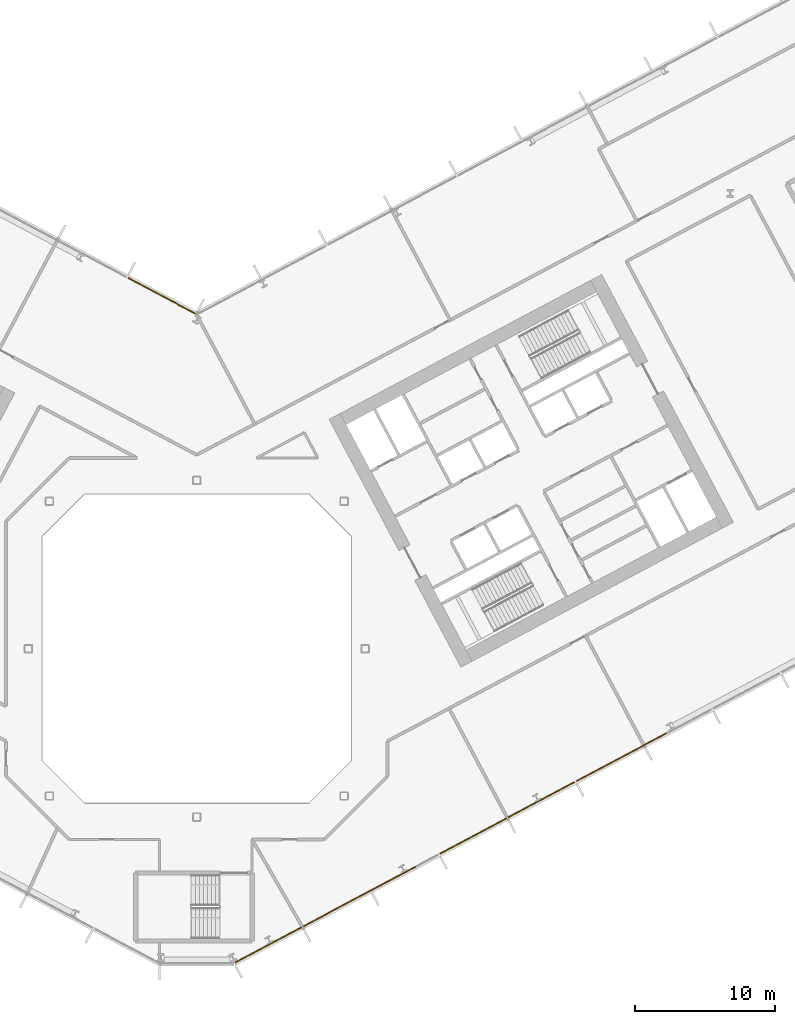
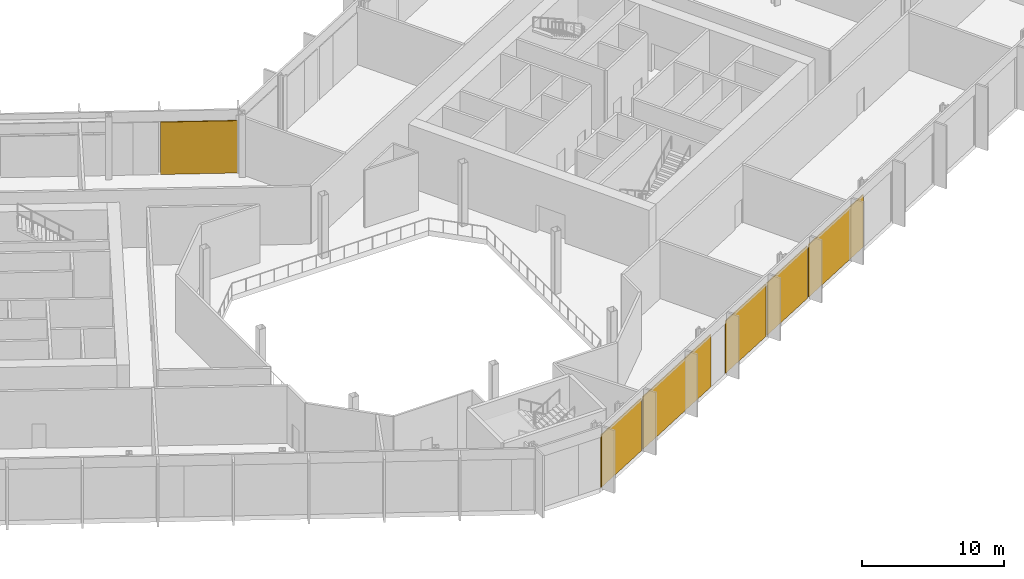
# One storey, part 26 of 32: 6 coverings, 2 elements without a shape of their own.
"""IFC4 building model written with IfcOpenShell, lengths in metres."""

import ifcopenshell
import ifcopenshell.guid

model = None  # the IFC model being written
_history = None  # IfcOwnerHistory: only IFC2X3 demands one
_inside = {}  # id of a spatial element -> (the spatial element, [elements in it])
_under = {}  # id of a project, library or spatial element -> (it, [spatial elements below it])
_declared = {}  # id of a project -> (the project, [libraries it declares])
_typed = {}  # id of a type object -> (the type object, [elements of that type])
_made_of = {}  # id of a material, layer set ... -> (it, [elements and type objects made of it])


def new_model(schema):
    """Start an empty IFC model of exactly this schema.

    Asked for "IFC4X3", IfcOpenShell would pick the latest addendum, in which some entities
    have other attributes; the version numbers below select the first issue.
    IFC2X3 requires an IfcOwnerHistory on every rooted entity: one is made here for all.
    """
    global model, _history
    if schema == "IFC4X3":
        model = ifcopenshell.file(schema_version=(4, 3, 0, 0))
    else:
        model = ifcopenshell.file(schema=schema)
    _inside.clear()
    _under.clear()
    _declared.clear()
    _typed.clear()
    _made_of.clear()
    _history = None
    if model.schema == "IFC2X3":
        org = make("IfcOrganization", Name="unknown")
        user = make(
            "IfcPersonAndOrganization",
            ThePerson=make("IfcPerson", FamilyName="unknown"),
            TheOrganization=org,
        )
        app = make(
            "IfcApplication",
            ApplicationDeveloper=org,
            Version="unknown",
            ApplicationFullName="unknown",
            ApplicationIdentifier="unknown",
        )
        _history = make(
            "IfcOwnerHistory",
            OwningUser=user,
            OwningApplication=app,
            ChangeAction="ADDED",
            CreationDate=0,
        )
    return model


def make(cls, **values):
    """One entity of the class cls with the attributes given. An attribute that is None is left unset."""
    return model.create_entity(
        cls, **{name: value for name, value in values.items() if value is not None}
    )


def rooted(cls, **values):
    """An entity with a GlobalId (a new one), such as an element, a storey or a relation."""
    return make(cls, GlobalId=ifcopenshell.guid.new(), OwnerHistory=_history, **values)


def si_unit(unit_type, name, prefix=None):
    """IfcSIUnit, for example si_unit("LENGTHUNIT", "METRE", prefix="MILLI")."""
    return make("IfcSIUnit", UnitType=unit_type, Prefix=prefix, Name=name)


def assignment(units):
    """IfcUnitAssignment: the units of a project."""
    return None if units is None else make("IfcUnitAssignment", Units=units)


def point(xyz):
    """IfcCartesianPoint."""
    return None if xyz is None else make("IfcCartesianPoint", Coordinates=xyz)


def direction(xyz):
    """IfcDirection."""
    return None if xyz is None else make("IfcDirection", DirectionRatios=xyz)


def frame(location, z_axis=None, x_axis=None):
    """IfcAxis2Placement3D, a coordinate frame: its origin and axes. An axis left out is left unset."""
    return make(
        "IfcAxis2Placement3D",
        Location=point(location),
        Axis=direction(z_axis),
        RefDirection=direction(x_axis),
    )


def frame_2d(location, x_axis=None):
    """IfcAxis2Placement2D, a coordinate frame in the plane: its origin and x axis."""
    return make(
        "IfcAxis2Placement2D", Location=point(location), RefDirection=direction(x_axis)
    )


def origin():
    """The frame at (0, 0, 0) with its axes left unset."""
    return frame((0.0, 0.0, 0.0))


def origin_2d():
    """The frame at (0, 0) in the plane with its x axis left unset."""
    return frame_2d((0.0, 0.0))


def place(relative_to, where):
    """IfcLocalPlacement: puts the frame where relative to a parent placement (None: the world)."""
    return make(
        "IfcLocalPlacement", PlacementRelTo=relative_to, RelativePlacement=where
    )


def context(
    kind, dimensions, precision=None, world=None, true_north=None, identifier=None
):
    """IfcGeometricRepresentationContext, for example the 3D "Model" context."""
    return make(
        "IfcGeometricRepresentationContext",
        ContextIdentifier=identifier,
        ContextType=kind,
        CoordinateSpaceDimension=dimensions,
        Precision=precision,
        WorldCoordinateSystem=world,
        TrueNorth=true_north,
    )


def subcontext(parent, identifier, kind, view, scale=None):
    """IfcGeometricRepresentationSubContext, for example "Body" below "Model"."""
    return make(
        "IfcGeometricRepresentationSubContext",
        ContextIdentifier=identifier,
        ContextType=kind,
        ParentContext=parent,
        TargetScale=scale,
        TargetView=view,
    )


def project(units=None, contexts=None):
    """IfcProject with its units and contexts."""
    return rooted(
        "IfcProject",
        Name="project",
        RepresentationContexts=contexts,
        UnitsInContext=assignment(units),
    )


def spatial(cls, under=None, at=None, **own):
    """A site, building, storey or space (cls), placed at a placement, below another one or the project."""
    s = rooted(cls, ObjectPlacement=at, **own)
    if under is not None:
        _under.setdefault(under.id(), (under, []))[1].append(s)
    return s


def profile(cls, at=None, kind="AREA", **sizes):
    """A parametric profile (cls). Its sizes go by their IFC names, for example OverallWidth=200.0."""
    return make(cls, ProfileType=kind, Position=at, **sizes)


def rectangle(**sizes):
    """IfcRectangleProfileDef."""
    return profile("IfcRectangleProfileDef", **sizes)


def extrude(swept, where, along, depth):
    """IfcExtrudedAreaSolid: the profile swept, set in the frame where, extruded along a direction by depth."""
    return make(
        "IfcExtrudedAreaSolid",
        SweptArea=swept,
        Position=where,
        ExtrudedDirection=direction(along),
        Depth=depth,
    )


def shape(context_of_items, identifier, shape_type, items):
    """IfcShapeRepresentation: the items that make up one representation, for example the "Body"."""
    return make(
        "IfcShapeRepresentation",
        ContextOfItems=context_of_items,
        RepresentationIdentifier=identifier,
        RepresentationType=shape_type,
        Items=items,
    )


def material(Name=None, Category=None):
    """IfcMaterial."""
    return make("IfcMaterial", Name=Name, Category=Category)


def layer(
    of_material, thickness, ventilated=None, Name=None, Category=None, Priority=None
):
    """IfcMaterialLayer: one layer of a wall or slab, of a material (None: an air gap)."""
    return make(
        "IfcMaterialLayer",
        Material=of_material,
        LayerThickness=thickness,
        IsVentilated=ventilated,
        Name=Name,
        Category=Category,
        Priority=Priority,
    )


def layer_set(layers, Name=None):
    """IfcMaterialLayerSet."""
    return make("IfcMaterialLayerSet", MaterialLayers=layers, LayerSetName=Name)


def made_of(thing, what):
    """Note that an element or type object is made of a material, layer set ...; save() writes the relation."""
    if what is not None:
        _made_of.setdefault(what.id(), (what, []))[1].append(thing)
    return thing


def type_object(cls, material=None, **own):
    """A type object (cls), such as IfcWallType, which elements share."""
    return made_of(rooted(cls, **own), material)


def element(
    cls,
    number,
    at=None,
    inside=None,
    cuts=None,
    type_object=None,
    material=None,
    context=None,
    identifier="Body",
    shape_type=None,
    held_by="IfcProductDefinitionShape",
    body=None,
    shapes=None,
    **own,
):
    """One element of the class cls, such as IfcWall. Its Tag is "e" and its number.

    at: its placement. inside: the storey or other place that contains it. cuts: it is an
    opening in that element (IfcRelVoidsElement). A single representation is given by context,
    identifier, shape_type and body (its items); several are given by shapes. held_by: the class
    of the entity that holds the representations. save() writes the other relations.
    """
    e = rooted(cls, Tag="e%d" % number, ObjectPlacement=at, **own)
    if body is not None:
        shapes = [shape(context, identifier, shape_type, body)]
    if shapes is not None:
        e.Representation = make(held_by, Representations=shapes)
    if inside is not None:
        _inside.setdefault(inside.id(), (inside, []))[1].append(e)
    if cuts is not None:
        rooted(
            "IfcRelVoidsElement", RelatingBuildingElement=cuts, RelatedOpeningElement=e
        )
    if type_object is not None:
        _typed.setdefault(type_object.id(), (type_object, []))[1].append(e)
    return made_of(e, material)


def aggregate(whole, parts):
    """IfcRelAggregates: a whole, such as a stair, and the parts it consists of."""
    return rooted("IfcRelAggregates", RelatingObject=whole, RelatedObjects=parts)


def save(model, path):
    """Write the relations noted so far, then the file.

    IfcRelAggregates (storeys below a building ...), IfcRelContainedInSpatialStructure (elements
    in a storey), IfcRelDefinesByType, IfcRelAssociatesMaterial and IfcRelDeclares: one each for
    every whole, place, type object, material and project.
    """
    for whole, parts in _under.values():
        aggregate(whole, parts)
    for where, things in _inside.values():
        rooted(
            "IfcRelContainedInSpatialStructure",
            RelatedElements=things,
            RelatingStructure=where,
        )
    for kind, things in _typed.values():
        rooted("IfcRelDefinesByType", RelatedObjects=things, RelatingType=kind)
    for what, things in _made_of.values():
        rooted("IfcRelAssociatesMaterial", RelatedObjects=things, RelatingMaterial=what)
    for by, libraries in _declared.values():
        rooted("IfcRelDeclares", RelatingContext=by, RelatedDefinitions=libraries)
    model.write(path)


model = new_model("IFC4")

# Units and contexts
model_context = context("Model", 3, precision=1e-05, world=origin(), true_north=direction((0.0, 1.0)))
body_context = subcontext(model_context, "Body", "Model", "MODEL_VIEW")
ifc_project = project(units=[si_unit("LENGTHUNIT", "METRE"), si_unit("AREAUNIT", "SQUARE_METRE"), si_unit("VOLUMEUNIT", "CUBIC_METRE"), si_unit("PLANEANGLEUNIT", "RADIAN"), si_unit("MASSUNIT", "GRAM", prefix="KILO")], contexts=[model_context])

# Site, building, storey
site_placement = place(None, origin())
site = spatial("IfcSite", under=ifc_project, at=site_placement, CompositionType="ELEMENT")
building_placement = place(site_placement, origin())
building = spatial("IfcBuilding", under=site, at=building_placement, Name="Cormorant Relay Tower", CompositionType="ELEMENT")
storey_placement = place(building_placement, frame((0.0, 0.0, 39.199951171875)))
storey = spatial("IfcBuildingStorey", under=building, at=storey_placement, Name="L07", CompositionType="ELEMENT", Elevation=39.199951171875)

# Curtain wall, coverings
ifc_material_1 = material(Name="Aluminium 6063-T6 anodised bronze", Category="aluminium")
ifc_layer_1 = layer(ifc_material_1, 0.235107421875)
ifc_layer_set_1 = layer_set([ifc_layer_1], Name="CW6 data hall curtain wall with mineral wool panels")
curtain_wall_type = type_object("IfcCurtainWallType", Name="CW6 data hall curtain wall with mineral wool panels", PredefinedType="NOTDEFINED", material=ifc_layer_set_1)
curtain_wall_1_placement = place(storey_placement, origin())
curtain_wall_1 = element("IfcCurtainWall", 1, at=curtain_wall_1_placement, inside=storey, type_object=curtain_wall_type, Name="CW6 curtain wall 2", PredefinedType="NOTDEFINED")
ifc_material_2 = material(Name="Mineral wool cored anodised bronze aluminium cassette panel", Category="aluminium")
ifc_layer_2 = layer(ifc_material_2, 0.074951171875)
ifc_layer_set_2 = layer_set([ifc_layer_2], Name="CW6 mineral wool cassette panel 75")
covering_type = type_object("IfcCoveringType", Name="CW6 mineral wool cassette panel 75", PredefinedType="CLADDING", material=ifc_layer_set_2)
covering_1_placement = place(storey_placement, frame((5.099853515625, -21.11474609375, 0.0), z_axis=(0.0, 0.0, 1.0), x_axis=(0.882947592859, 0.469471562786, 0.0)))
covering_1 = element("IfcCovering", 2, at=covering_1_placement, type_object=covering_type, Name="CW6 panel S00", PredefinedType="CLADDING", context=body_context, shape_type="SweptSolid", body=[
    extrude(rectangle(XDim=5.36181640625, YDim=0.074951171875, at=origin_2d()), origin(), (0.0, 0.0, 1.0), 4.5),
])
covering_2_placement = place(storey_placement, frame((11.60498046875, -17.656005859375, 0.0), z_axis=(0.0, 0.0, 1.0), x_axis=(0.882947592859, 0.469471562786, 0.0)))
covering_2 = element("IfcCovering", 3, at=covering_2_placement, type_object=covering_type, Name="CW6 panel S01", PredefinedType="CLADDING", context=body_context, shape_type="SweptSolid", body=[
    extrude(rectangle(XDim=9.07373046875, YDim=0.074951171875, at=origin_2d()), origin(), (0.0, 0.0, 1.0), 4.5),
])
covering_3_placement = place(storey_placement, frame((19.69970703125, -13.351806640625, 0.0), z_axis=(0.0, 0.0, 1.0), x_axis=(0.882947592859, 0.469471562786, 0.0)))
covering_3 = element("IfcCovering", 4, at=covering_3_placement, type_object=covering_type, Name="CW6 panel S03", PredefinedType="CLADDING", context=body_context, shape_type="SweptSolid", body=[
    extrude(rectangle(XDim=5.36181640625, YDim=0.074951171875, at=origin_2d()), origin(), (0.0, 0.0, 1.0), 4.5),
])
covering_4_placement = place(storey_placement, frame((24.56640625, -10.76416015625, 0.0), z_axis=(0.0, 0.0, 1.0), x_axis=(0.882947592859, 0.469471562786, 0.0)))
covering_4 = element("IfcCovering", 5, at=covering_4_placement, type_object=covering_type, Name="CW6 panel S04", PredefinedType="CLADDING", context=body_context, shape_type="SweptSolid", body=[
    extrude(rectangle(XDim=5.36181640625, YDim=0.074951171875, at=origin_2d()), origin(), (0.0, 0.0, 1.0), 4.5),
])
covering_5_placement = place(storey_placement, frame((30.277099609375, -7.727783203125, 0.0), z_axis=(0.0, 0.0, 1.0), x_axis=(0.882947592859, 0.469471562786, 0.0)))
covering_5 = element("IfcCovering", 6, at=covering_5_placement, type_object=covering_type, Name="CW6 panel S05", PredefinedType="CLADDING", context=body_context, shape_type="SweptSolid", body=[
    extrude(rectangle(XDim=7.273681640625, YDim=0.074951171875, at=origin_2d()), origin(), (0.0, 0.0, 1.0), 4.5),
])
aggregate(curtain_wall_1, [covering_1, covering_2, covering_3, covering_4, covering_5])

# Curtain wall, covering
curtain_wall_2_placement = place(storey_placement, origin())
curtain_wall_2 = element("IfcCurtainWall", 7, at=curtain_wall_2_placement, inside=storey, type_object=curtain_wall_type, Name="CW6 curtain wall 7", PredefinedType="NOTDEFINED")
covering_6_placement = place(storey_placement, frame((-2.5048828125, 25.158447265625, 0.0), z_axis=(0.0, 0.0, 1.0), x_axis=(-0.882947592859, 0.469471562786, 0.0)))
covering_6 = element("IfcCovering", 8, at=covering_6_placement, type_object=covering_type, Name="CW6 panel S00", PredefinedType="CLADDING", context=body_context, shape_type="SweptSolid", body=[
    extrude(rectangle(XDim=5.4140625, YDim=0.074951171875, at=origin_2d()), origin(), (0.0, 0.0, 1.0), 4.5),
])
aggregate(curtain_wall_2, [covering_6])

save(model, "model.ifc")
